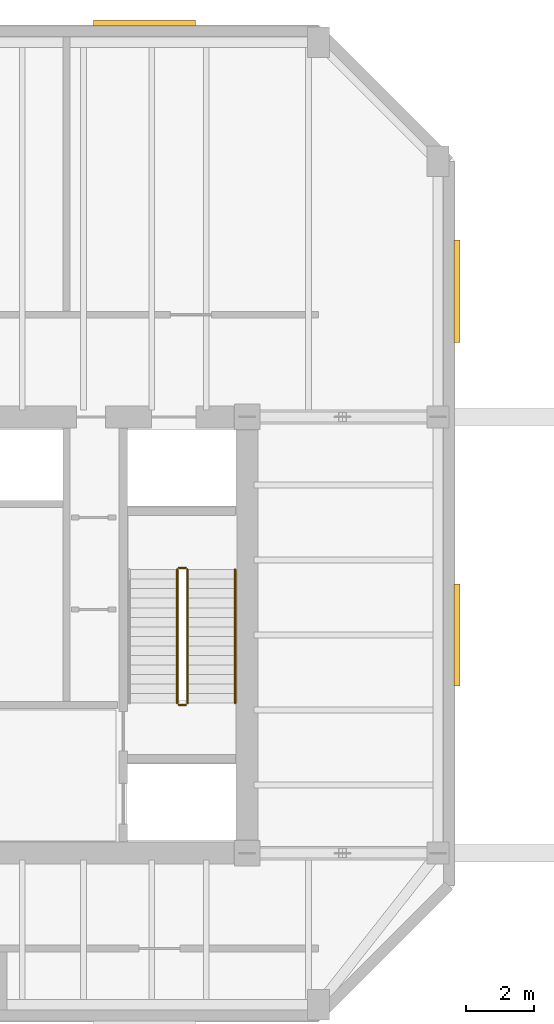
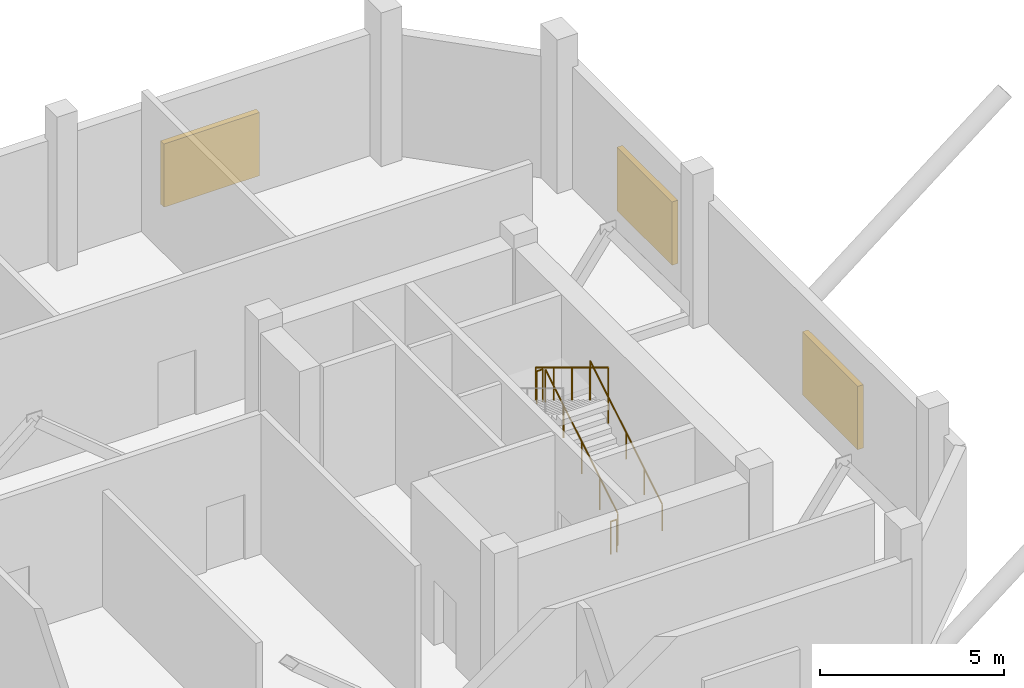
# One storey, part 9 of 9: 5 railings, 3 shading devices.
"""IFC4 building model written with IfcOpenShell, lengths in metres."""

from ifc_helpers import new_model, si_unit, direction, frame, origin, origin_2d, place, context, subcontext, project, spatial, rectangle, circle, extrude, material, type_object, element, save


model = new_model("IFC4")

# Units and contexts
model_context = context("Model", 3, precision=1e-05, world=origin(), true_north=direction((0.0, 1.0)))
body_context = subcontext(model_context, "Body", "Model", "MODEL_VIEW")
ifc_project = project(units=[si_unit("LENGTHUNIT", "METRE"), si_unit("AREAUNIT", "SQUARE_METRE"), si_unit("VOLUMEUNIT", "CUBIC_METRE"), si_unit("PLANEANGLEUNIT", "RADIAN"), si_unit("MASSUNIT", "GRAM", prefix="KILO")], contexts=[model_context])

# Site, building, storey
site_placement = place(None, origin())
site = spatial("IfcSite", under=ifc_project, at=site_placement, CompositionType="ELEMENT")
building_placement = place(site_placement, origin())
building = spatial("IfcBuilding", under=site, at=building_placement, Name="Kranthara Brick Stack", CompositionType="ELEMENT")
storey_placement = place(building_placement, frame((0.0, 0.0, 282.300048828125)))
storey = spatial("IfcBuildingStorey", under=building, at=storey_placement, Name="L75", CompositionType="ELEMENT", Elevation=282.300048828125)

# Railings
ifc_material_1 = material(Name="Painted galvanized steel stair guardrail", Category="steel")
railing_type_1 = type_object("IfcRailingType", Name="RL-STAIR-GUARD-1100", PredefinedType="GUARDRAIL", material=ifc_material_1)
railing_1_placement = place(storey_placement, frame((41.449951171875, 25.199951171875, 0.169921875)))
element("IfcRailing", 1, at=railing_1_placement, inside=storey, type_object=railing_type_1, Name="L75 ST02 stair guard 1", PredefinedType="GUARDRAIL", context=body_context, shape_type="SweptSolid", body=[
    extrude(circle(Radius=0.02392578125, at=origin_2d()), frame((0.0, 0.0, 1.076171875), z_axis=(0.0, 0.854784984964, 0.518982301701), x_axis=(-1.0, 0.0, 0.0)), (0.0, 0.0, 1.0), 4.586181640625),
    extrude(circle(Radius=0.02099609375, at=origin_2d()), origin(), (0.0, 0.0, 1.0), 1.052001953125),
    extrude(circle(Radius=0.02099609375, at=origin_2d()), frame((0.0, 0.97998046875, 0.594970703125)), (0.0, 0.0, 1.0), 1.052001953125),
    extrude(circle(Radius=0.02099609375, at=origin_2d()), frame((0.0, 1.9599609375, 1.18994140625)), (0.0, 0.0, 1.0), 1.052001953125),
    extrude(circle(Radius=0.02099609375, at=origin_2d()), frame((0.0, 2.940185546875, 1.78515625)), (0.0, 0.0, 1.0), 1.052001953125),
    extrude(circle(Radius=0.02099609375, at=origin_2d()), frame((0.0, 3.920166015625, 2.380126953125)), (0.0, 0.0, 1.0), 1.052001953125),
])
railing_2_placement = place(storey_placement, frame((41.39990234375, 29.169921875, 2.550048828125)))
element("IfcRailing", 2, at=railing_2_placement, inside=storey, type_object=railing_type_1, Name="L75 ST02 stair guard 2", PredefinedType="GUARDRAIL", context=body_context, shape_type="SweptSolid", body=[
    extrude(circle(Radius=0.02392578125, at=origin_2d()), frame((0.0, 0.0, 1.076171875), z_axis=(-1.0, 0.0, 0.0), x_axis=(0.0, -1.0, 0.0)), (0.0, 0.0, 1.0), 0.199951171875),
    extrude(circle(Radius=0.02099609375, at=origin_2d()), origin(), (0.0, 0.0, 1.0), 1.052001953125),
    extrude(circle(Radius=0.02099609375, at=origin_2d()), frame((-0.199951171875, 0.0, 0.0)), (0.0, 0.0, 1.0), 1.052001953125),
])
railing_3_placement = place(storey_placement, frame((41.14990234375, 29.1201171875, 2.719970703125)))
element("IfcRailing", 3, at=railing_3_placement, inside=storey, type_object=railing_type_1, Name="L75 ST02 stair guard 3", PredefinedType="GUARDRAIL", context=body_context, shape_type="SweptSolid", body=[
    extrude(circle(Radius=0.02392578125, at=origin_2d()), frame((0.0, 0.0, 1.076171875), z_axis=(0.0, -0.854808600491, 0.518943403973), x_axis=(1.0, 0.0, 0.0)), (0.0, 0.0, 1.0), 4.5859375),
    extrude(circle(Radius=0.02099609375, at=origin_2d()), origin(), (0.0, 0.0, 1.0), 1.052001953125),
    extrude(circle(Radius=0.02099609375, at=origin_2d()), frame((0.0, -0.97998046875, 0.594970703125)), (0.0, 0.0, 1.0), 1.052001953125),
    extrude(circle(Radius=0.02099609375, at=origin_2d()), frame((0.0, -1.9599609375, 1.18994140625)), (0.0, 0.0, 1.0), 1.052001953125),
    extrude(circle(Radius=0.02099609375, at=origin_2d()), frame((0.0, -2.940185546875, 1.784912109375)), (0.0, 0.0, 1.0), 1.052001953125),
    extrude(circle(Radius=0.02099609375, at=origin_2d()), frame((0.0, -3.920166015625, 2.3798828125)), (0.0, 0.0, 1.0), 1.052001953125),
])
railing_4_placement = place(storey_placement, frame((41.39990234375, 25.14990234375, 0.0)))
element("IfcRailing", 4, at=railing_4_placement, inside=storey, type_object=railing_type_1, Name="L75 ST02 stair guard 4", PredefinedType="GUARDRAIL", context=body_context, shape_type="SweptSolid", body=[
    extrude(circle(Radius=0.02392578125, at=origin_2d()), frame((0.0, 0.0, 1.076171875), z_axis=(-1.0, 0.0, 0.0), x_axis=(0.0, -1.0, 0.0)), (0.0, 0.0, 1.0), 0.199951171875),
    extrude(circle(Radius=0.02099609375, at=origin_2d()), origin(), (0.0, 0.0, 1.0), 1.052001953125),
    extrude(circle(Radius=0.02099609375, at=origin_2d()), frame((-0.199951171875, 0.0, 0.0)), (0.0, 0.0, 1.0), 1.052001953125),
])
ifc_material_2 = material(Name="Brushed stainless steel tubular handrail", Category="steel")
railing_type_2 = type_object("IfcRailingType", Name="RL-STAIR-HAND-900", PredefinedType="HANDRAIL", material=ifc_material_2)
railing_5_placement = place(storey_placement, frame((42.85009765625, 25.199951171875, 0.169921875)))
element("IfcRailing", 5, at=railing_5_placement, inside=storey, type_object=railing_type_2, Name="L75 ST02 stair handrail 1", PredefinedType="HANDRAIL", context=body_context, shape_type="SweptSolid", body=[
    extrude(circle(Radius=0.02392578125, at=origin_2d()), frame((0.0, 0.0, 0.8759765625), z_axis=(0.0, 0.854784984964, 0.518982301701), x_axis=(-1.0, 0.0, 0.0)), (0.0, 0.0, 1.0), 4.586181640625),
    extrude(circle(Radius=0.02099609375, at=origin_2d()), origin(), (0.0, 0.0, 1.0), 0.851806640625),
    extrude(circle(Radius=0.02099609375, at=origin_2d()), frame((0.0, 0.97998046875, 0.594970703125)), (0.0, 0.0, 1.0), 0.851806640625),
    extrude(circle(Radius=0.02099609375, at=origin_2d()), frame((0.0, 1.9599609375, 1.18994140625)), (0.0, 0.0, 1.0), 0.851806640625),
    extrude(circle(Radius=0.02099609375, at=origin_2d()), frame((0.0, 2.940185546875, 1.78515625)), (0.0, 0.0, 1.0), 0.851806640625),
    extrude(circle(Radius=0.02099609375, at=origin_2d()), frame((0.0, 3.920166015625, 2.380126953125)), (0.0, 0.0, 1.0), 0.851806640625),
])

# Shading devices
ifc_material_3 = material(Name="Bronze anodised aluminium acoustic louvre", Category="aluminium")
shading_device_type = type_object("IfcShadingDeviceType", Name="SHD-LOUVRE-PLANT", PredefinedType="JALOUSIE", material=ifc_material_3)
for number, where, z_axis, x_axis, name in (
    (6, (40.1875, 45.159912109375, 0.2998046875), (0.0, 0.0, 1.0), (1.0, 0.0, 0.0), "L75 NORTH Mechanical Louvre Bank 4"),
    (7, (49.360107421875, 37.28759765625, 0.2998046875), (0.0, 0.0, 1.0), (0.0, -1.0, 0.0), "L75 EAST Mechanical Louvre Bank 1"),
    (8, (49.360107421875, 27.199951171875, 0.2998046875), (0.0, 0.0, 1.0), (0.0, -1.0, 0.0), "L75 EAST Mechanical Louvre Bank 2"),
):
    element("IfcShadingDevice", number, at=place(storey_placement, frame(where, z_axis=z_axis, x_axis=x_axis)), inside=storey, type_object=shading_device_type, Name=name, PredefinedType="JALOUSIE", context=body_context, shape_type="SweptSolid", body=[
        extrude(rectangle(XDim=3.0, YDim=0.179931640625, at=origin_2d()), origin(), (0.0, 0.0, 1.0), 2.10009765625),
    ])

save(model, "model.ifc")
